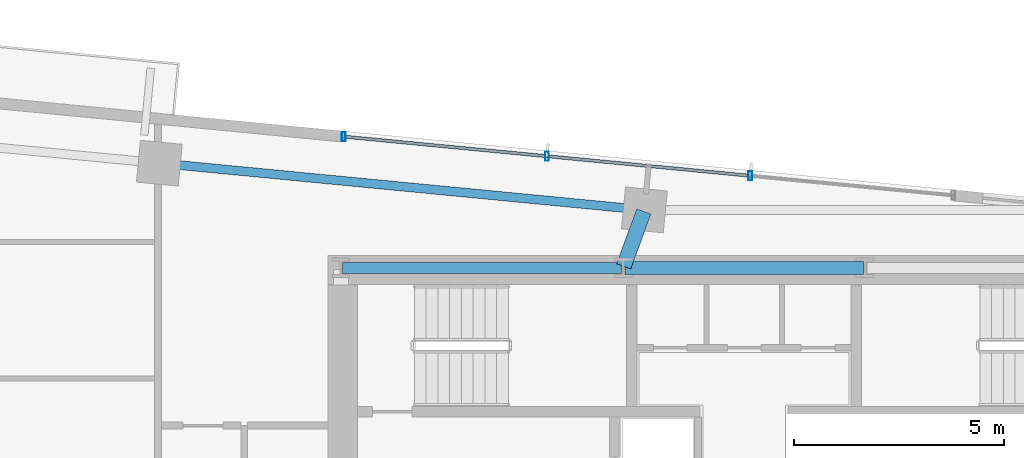
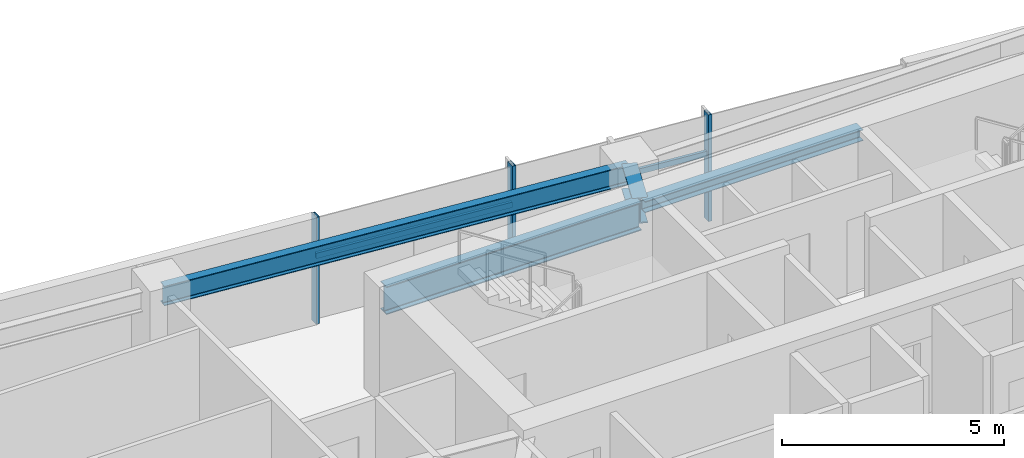
# One storey, part 7 of 19: 5 members, 4 beams, 1 element without a shape of its own.
"""IFC4 building model written with IfcOpenShell, lengths in metres."""

import ifcopenshell
import ifcopenshell.guid

model = None  # the IFC model being written
_history = None  # IfcOwnerHistory: only IFC2X3 demands one
_inside = {}  # id of a spatial element -> (the spatial element, [elements in it])
_under = {}  # id of a project, library or spatial element -> (it, [spatial elements below it])
_declared = {}  # id of a project -> (the project, [libraries it declares])
_typed = {}  # id of a type object -> (the type object, [elements of that type])
_made_of = {}  # id of a material, layer set ... -> (it, [elements and type objects made of it])


def new_model(schema):
    """Start an empty IFC model of exactly this schema.

    Asked for "IFC4X3", IfcOpenShell would pick the latest addendum, in which some entities
    have other attributes; the version numbers below select the first issue.
    IFC2X3 requires an IfcOwnerHistory on every rooted entity: one is made here for all.
    """
    global model, _history
    if schema == "IFC4X3":
        model = ifcopenshell.file(schema_version=(4, 3, 0, 0))
    else:
        model = ifcopenshell.file(schema=schema)
    _inside.clear()
    _under.clear()
    _declared.clear()
    _typed.clear()
    _made_of.clear()
    _history = None
    if model.schema == "IFC2X3":
        org = make("IfcOrganization", Name="unknown")
        user = make(
            "IfcPersonAndOrganization",
            ThePerson=make("IfcPerson", FamilyName="unknown"),
            TheOrganization=org,
        )
        app = make(
            "IfcApplication",
            ApplicationDeveloper=org,
            Version="unknown",
            ApplicationFullName="unknown",
            ApplicationIdentifier="unknown",
        )
        _history = make(
            "IfcOwnerHistory",
            OwningUser=user,
            OwningApplication=app,
            ChangeAction="ADDED",
            CreationDate=0,
        )
    return model


def make(cls, **values):
    """One entity of the class cls with the attributes given. An attribute that is None is left unset."""
    return model.create_entity(
        cls, **{name: value for name, value in values.items() if value is not None}
    )


def rooted(cls, **values):
    """An entity with a GlobalId (a new one), such as an element, a storey or a relation."""
    return make(cls, GlobalId=ifcopenshell.guid.new(), OwnerHistory=_history, **values)


def si_unit(unit_type, name, prefix=None):
    """IfcSIUnit, for example si_unit("LENGTHUNIT", "METRE", prefix="MILLI")."""
    return make("IfcSIUnit", UnitType=unit_type, Prefix=prefix, Name=name)


def assignment(units):
    """IfcUnitAssignment: the units of a project."""
    return None if units is None else make("IfcUnitAssignment", Units=units)


def point(xyz):
    """IfcCartesianPoint."""
    return None if xyz is None else make("IfcCartesianPoint", Coordinates=xyz)


def direction(xyz):
    """IfcDirection."""
    return None if xyz is None else make("IfcDirection", DirectionRatios=xyz)


def frame(location, z_axis=None, x_axis=None):
    """IfcAxis2Placement3D, a coordinate frame: its origin and axes. An axis left out is left unset."""
    return make(
        "IfcAxis2Placement3D",
        Location=point(location),
        Axis=direction(z_axis),
        RefDirection=direction(x_axis),
    )


def frame_2d(location, x_axis=None):
    """IfcAxis2Placement2D, a coordinate frame in the plane: its origin and x axis."""
    return make(
        "IfcAxis2Placement2D", Location=point(location), RefDirection=direction(x_axis)
    )


def origin():
    """The frame at (0, 0, 0) with its axes left unset."""
    return frame((0.0, 0.0, 0.0))


def origin_2d():
    """The frame at (0, 0) in the plane with its x axis left unset."""
    return frame_2d((0.0, 0.0))


def place(relative_to, where):
    """IfcLocalPlacement: puts the frame where relative to a parent placement (None: the world)."""
    return make(
        "IfcLocalPlacement", PlacementRelTo=relative_to, RelativePlacement=where
    )


def context(
    kind, dimensions, precision=None, world=None, true_north=None, identifier=None
):
    """IfcGeometricRepresentationContext, for example the 3D "Model" context."""
    return make(
        "IfcGeometricRepresentationContext",
        ContextIdentifier=identifier,
        ContextType=kind,
        CoordinateSpaceDimension=dimensions,
        Precision=precision,
        WorldCoordinateSystem=world,
        TrueNorth=true_north,
    )


def subcontext(parent, identifier, kind, view, scale=None):
    """IfcGeometricRepresentationSubContext, for example "Body" below "Model"."""
    return make(
        "IfcGeometricRepresentationSubContext",
        ContextIdentifier=identifier,
        ContextType=kind,
        ParentContext=parent,
        TargetScale=scale,
        TargetView=view,
    )


def project(units=None, contexts=None):
    """IfcProject with its units and contexts."""
    return rooted(
        "IfcProject",
        Name="project",
        RepresentationContexts=contexts,
        UnitsInContext=assignment(units),
    )


def spatial(cls, under=None, at=None, **own):
    """A site, building, storey or space (cls), placed at a placement, below another one or the project."""
    s = rooted(cls, ObjectPlacement=at, **own)
    if under is not None:
        _under.setdefault(under.id(), (under, []))[1].append(s)
    return s


def profile(cls, at=None, kind="AREA", **sizes):
    """A parametric profile (cls). Its sizes go by their IFC names, for example OverallWidth=200.0."""
    return make(cls, ProfileType=kind, Position=at, **sizes)


def hollow_rectangle(**sizes):
    """IfcRectangleHollowProfileDef."""
    return profile("IfcRectangleHollowProfileDef", **sizes)


def i_section(**sizes):
    """IfcIShapeProfileDef."""
    return profile("IfcIShapeProfileDef", **sizes)


def extrude(swept, where, along, depth):
    """IfcExtrudedAreaSolid: the profile swept, set in the frame where, extruded along a direction by depth."""
    return make(
        "IfcExtrudedAreaSolid",
        SweptArea=swept,
        Position=where,
        ExtrudedDirection=direction(along),
        Depth=depth,
    )


def shape(context_of_items, identifier, shape_type, items):
    """IfcShapeRepresentation: the items that make up one representation, for example the "Body"."""
    return make(
        "IfcShapeRepresentation",
        ContextOfItems=context_of_items,
        RepresentationIdentifier=identifier,
        RepresentationType=shape_type,
        Items=items,
    )


def source(mapping_origin, context_of_items, identifier, shape_type, items):
    """IfcRepresentationMap: a shape defined once, which mapped items show again and again."""
    return make(
        "IfcRepresentationMap",
        MappingOrigin=mapping_origin,
        MappedRepresentation=shape(context_of_items, identifier, shape_type, items),
    )


def transform(
    local_origin,
    x_axis=None,
    y_axis=None,
    z_axis=None,
    scale=None,
    scale2=None,
    scale3=None,
    uniform=True,
):
    """IfcCartesianTransformationOperator3D, or its non-uniform kind. x_axis, y_axis, z_axis: its Axis1, 2, 3."""
    if uniform:
        return make(
            "IfcCartesianTransformationOperator3D",
            Axis1=direction(x_axis),
            Axis2=direction(y_axis),
            LocalOrigin=point(local_origin),
            Scale=scale,
            Axis3=direction(z_axis),
        )
    return make(
        "IfcCartesianTransformationOperator3DnonUniform",
        Axis1=direction(x_axis),
        Axis2=direction(y_axis),
        LocalOrigin=point(local_origin),
        Scale=scale,
        Axis3=direction(z_axis),
        Scale2=scale2,
        Scale3=scale3,
    )


def mapped(mapping_source, mapping_target):
    """IfcMappedItem: shows the shape of a source again, moved by a transform."""
    return make(
        "IfcMappedItem", MappingSource=mapping_source, MappingTarget=mapping_target
    )


def material(Name=None, Category=None):
    """IfcMaterial."""
    return make("IfcMaterial", Name=Name, Category=Category)


def material_profile(
    of_material, cross_section, Name=None, Category=None, Priority=None
):
    """IfcMaterialProfile: a cross section and its material."""
    return make(
        "IfcMaterialProfile",
        Name=Name,
        Material=of_material,
        Profile=cross_section,
        Priority=Priority,
        Category=Category,
    )


def profile_set(profiles, Name=None, composite=None):
    """IfcMaterialProfileSet."""
    return make(
        "IfcMaterialProfileSet",
        Name=Name,
        MaterialProfiles=profiles,
        CompositeProfile=composite,
    )


def made_of(thing, what):
    """Note that an element or type object is made of a material, layer set ...; save() writes the relation."""
    if what is not None:
        _made_of.setdefault(what.id(), (what, []))[1].append(thing)
    return thing


def type_object(cls, material=None, **own):
    """A type object (cls), such as IfcWallType, which elements share."""
    return made_of(rooted(cls, **own), material)


def type_shapes(of_type, sources):
    """Give a type object the sources (RepresentationMaps) that its elements show as mapped items."""
    of_type.RepresentationMaps = sources


def element(
    cls,
    number,
    at=None,
    inside=None,
    cuts=None,
    type_object=None,
    material=None,
    context=None,
    identifier="Body",
    shape_type=None,
    held_by="IfcProductDefinitionShape",
    body=None,
    shapes=None,
    **own,
):
    """One element of the class cls, such as IfcWall. Its Tag is "e" and its number.

    at: its placement. inside: the storey or other place that contains it. cuts: it is an
    opening in that element (IfcRelVoidsElement). A single representation is given by context,
    identifier, shape_type and body (its items); several are given by shapes. held_by: the class
    of the entity that holds the representations. save() writes the other relations.
    """
    e = rooted(cls, Tag="e%d" % number, ObjectPlacement=at, **own)
    if body is not None:
        shapes = [shape(context, identifier, shape_type, body)]
    if shapes is not None:
        e.Representation = make(held_by, Representations=shapes)
    if inside is not None:
        _inside.setdefault(inside.id(), (inside, []))[1].append(e)
    if cuts is not None:
        rooted(
            "IfcRelVoidsElement", RelatingBuildingElement=cuts, RelatedOpeningElement=e
        )
    if type_object is not None:
        _typed.setdefault(type_object.id(), (type_object, []))[1].append(e)
    return made_of(e, material)


def aggregate(whole, parts):
    """IfcRelAggregates: a whole, such as a stair, and the parts it consists of."""
    return rooted("IfcRelAggregates", RelatingObject=whole, RelatedObjects=parts)


def save(model, path):
    """Write the relations noted so far, then the file.

    IfcRelAggregates (storeys below a building ...), IfcRelContainedInSpatialStructure (elements
    in a storey), IfcRelDefinesByType, IfcRelAssociatesMaterial and IfcRelDeclares: one each for
    every whole, place, type object, material and project.
    """
    for whole, parts in _under.values():
        aggregate(whole, parts)
    for where, things in _inside.values():
        rooted(
            "IfcRelContainedInSpatialStructure",
            RelatedElements=things,
            RelatingStructure=where,
        )
    for kind, things in _typed.values():
        rooted("IfcRelDefinesByType", RelatedObjects=things, RelatingType=kind)
    for what, things in _made_of.values():
        rooted("IfcRelAssociatesMaterial", RelatedObjects=things, RelatingMaterial=what)
    for by, libraries in _declared.values():
        rooted("IfcRelDeclares", RelatingContext=by, RelatedDefinitions=libraries)
    model.write(path)


model = new_model("IFC4")

# Units and contexts
model_context = context("Model", 3, precision=1e-05, world=origin(), true_north=direction((0.0, 1.0)))
body_context = subcontext(model_context, "Body", "Model", "MODEL_VIEW")
ifc_project = project(units=[si_unit("LENGTHUNIT", "METRE"), si_unit("AREAUNIT", "SQUARE_METRE"), si_unit("VOLUMEUNIT", "CUBIC_METRE"), si_unit("PLANEANGLEUNIT", "RADIAN"), si_unit("MASSUNIT", "GRAM", prefix="KILO")], contexts=[model_context])

# Site, building, storey
site_placement = place(None, origin())
site = spatial("IfcSite", under=ifc_project, at=site_placement, CompositionType="ELEMENT")
building_placement = place(site_placement, origin())
building = spatial("IfcBuilding", under=site, at=building_placement, Name="Astriad Promenade Condominiums", CompositionType="ELEMENT")
storey_placement = place(building_placement, frame((0.0, 0.0, 150.199951171875)))
storey = spatial("IfcBuildingStorey", under=building, at=storey_placement, Name="L43", CompositionType="ELEMENT", Elevation=150.199951171875)

# Beams
ifc_material_1 = material(Name="Steel ASTM A992 Grade 50", Category="steel")
ifc_material_profile_1 = material_profile(ifc_material_1, i_section(OverallWidth=0.267822265625, OverallDepth=0.76953125, WebThickness=0.015625, FlangeThickness=0.025390625, FilletRadius=0.021484375, at=origin_2d()), Name="W30X132")
ifc_profile_set_1 = profile_set([ifc_material_profile_1], Name="Steel ASTM A992 Grade 50")
beam_type_1 = type_object("IfcBeamType", Name="STEEL FLOOR GIRDER W30X132", PredefinedType="BEAM", material=ifc_profile_set_1)
shared_shape_1 = source(origin(), body_context, "Body", "SweptSolid", [
    extrude(i_section(OverallWidth=0.267822265625, OverallDepth=0.76953125, WebThickness=0.015625, FlangeThickness=0.025390625, FilletRadius=0.021484375, at=origin_2d()), origin(), (0.0, 0.0, 1.0), 6.64013671875),
])
type_shapes(beam_type_1, [shared_shape_1])
beam_1_placement = place(storey_placement, frame((26.43994140625, 24.0, 2.55517578125), z_axis=(1.0, 0.0, 0.0), x_axis=(0.0, 1.0, 0.0)))
element("IfcBeam", 1, at=beam_1_placement, inside=storey, type_object=beam_type_1, Name="Core Ring Beam CG-N1-L43", PredefinedType="BEAM", context=body_context, shape_type="MappedRepresentation", body=[
    mapped(shared_shape_1, transform((0.0, 0.0, 0.0), scale=1.0)),
])
ifc_material_profile_2 = material_profile(ifc_material_1, i_section(OverallWidth=0.3046875, OverallDepth=0.307861328125, WebThickness=0.010009765625, FlangeThickness=0.015380859375, FilletRadius=0.01513671875, at=origin_2d()), Name="W12X65")
ifc_profile_set_2 = profile_set([ifc_material_profile_2], Name="Steel ASTM A992 Grade 50")
beam_type_2 = type_object("IfcBeamType", Name="STEEL OPENING LINTEL W12X65", PredefinedType="LINTEL", material=ifc_profile_set_2)
shared_shape_2 = source(origin(), body_context, "Body", "SweptSolid", [
    extrude(i_section(OverallWidth=0.3046875, OverallDepth=0.307861328125, WebThickness=0.010009765625, FlangeThickness=0.015380859375, FilletRadius=0.01513671875, at=origin_2d()), origin(), (0.0, 0.0, 1.0), 5.68017578125),
])
type_shapes(beam_type_2, [shared_shape_2])
beam_2_placement = place(storey_placement, frame((33.159912109375, 24.0, 2.7861328125), z_axis=(1.0, 0.0, 0.0), x_axis=(0.0, 1.0, 0.0)))
element("IfcBeam", 2, at=beam_2_placement, inside=storey, type_object=beam_type_2, Name="Core Ring Beam CG-N2-L43", PredefinedType="LINTEL", context=body_context, shape_type="MappedRepresentation", body=[
    mapped(shared_shape_2, transform((0.0, 0.0, 0.0), scale=1.0)),
])
ifc_material_profile_3 = material_profile(ifc_material_1, i_section(OverallWidth=0.210693359375, OverallDepth=0.53955078125, WebThickness=0.01171875, FlangeThickness=0.018798828125, FilletRadius=0.0166015625, at=origin_2d()), Name="W21X73")
ifc_profile_set_3 = profile_set([ifc_material_profile_3], Name="Steel ASTM A992 Grade 50")
beam_type_3 = type_object("IfcBeamType", Name="STEEL SPANDREL BEAM W21X73", PredefinedType="SPANDREL", material=ifc_profile_set_3)
shared_shape_3 = source(origin(), body_context, "Body", "SweptSolid", [
    extrude(i_section(OverallWidth=0.210693359375, OverallDepth=0.53955078125, WebThickness=0.01171875, FlangeThickness=0.018798828125, FilletRadius=0.0166015625, at=origin_2d()), origin(), (0.0, 0.0, 1.0), 11.52001953125),
])
type_shapes(beam_type_3, [shared_shape_3])
beam_3_placement = place(storey_placement, frame((33.58642578125, 25.384033203125, 2.670166015625), z_axis=(-0.9953953902, 0.095854145285, 0.0), x_axis=(-0.095854145285, -0.9953953902, 0.0)))
element("IfcBeam", 3, at=beam_3_placement, inside=storey, type_object=beam_type_3, Name="Perimeter Spandrel Beam SP-N2-L43", PredefinedType="SPANDREL", context=body_context, shape_type="MappedRepresentation", body=[
    mapped(shared_shape_3, transform((0.0, 0.0, 0.0), scale=1.0)),
])
ifc_material_profile_4 = material_profile(ifc_material_1, i_section(OverallWidth=0.35791015625, OverallDepth=0.706298828125, WebThickness=0.018310546875, FlangeThickness=0.0302734375, FilletRadius=0.020263671875, at=origin_2d()), Name="W27X178")
ifc_profile_set_4 = profile_set([ifc_material_profile_4], Name="Steel ASTM A992 Grade 50")
beam_type_4 = type_object("IfcBeamType", Name="STEEL FLOOR GIRDER W27X178", PredefinedType="BEAM", material=ifc_profile_set_4)
shared_shape_4 = source(origin(), body_context, "Body", "SweptSolid", [
    extrude(i_section(OverallWidth=0.35791015625, OverallDepth=0.706298828125, WebThickness=0.018310546875, FlangeThickness=0.0302734375, FilletRadius=0.020263671875, at=origin_2d()), origin(), (0.0, 0.0, 1.0), 1.39013671875),
])
type_shapes(beam_type_4, [shared_shape_4])
beam_4_placement = place(storey_placement, frame((33.6123046875, 25.3427734375, 2.5869140625), z_axis=(-0.344223686797, -0.938887668173, 0.0), x_axis=(0.938887668173, -0.344223686797, 0.0)))
element("IfcBeam", 4, at=beam_4_placement, inside=storey, type_object=beam_type_4, Name="Primary Floor Girder PG-NC-L43", PredefinedType="BEAM", context=body_context, shape_type="MappedRepresentation", body=[
    mapped(shared_shape_4, transform((0.0, 0.0, 0.0), scale=1.0)),
])

# Curtain wall, members
ifc_material_2 = material(Name="Anodised aluminium Black Dark Glass Unitised", Category="aluminium")
curtain_wall_type = type_object("IfcCurtainWallType", Name="CW-B34-DARK", PredefinedType="USERDEFINED", material=ifc_material_2)
curtain_wall_placement = place(storey_placement, origin())
curtain_wall = element("IfcCurtainWall", 5, at=curtain_wall_placement, inside=storey, type_object=curtain_wall_type, Name="CW-L43-N", ObjectType="UNITISED_CURTAIN_WALL", PredefinedType="USERDEFINED")
ifc_material_3 = material(Name="Anodised aluminium 6063-T6 Black", Category="aluminium")
ifc_material_profile_5 = material_profile(ifc_material_3, hollow_rectangle(XDim=0.0849609375, YDim=0.219970703125, WallThickness=0.0048828125, at=origin_2d()), Name="ALU-MUL-85X220")
ifc_profile_set_5 = profile_set([ifc_material_profile_5], Name="Anodised aluminium 6063-T6 Black")
member_type_1 = type_object("IfcMemberType", Name="MUL-ALU-MUL-85X220", PredefinedType="MULLION", material=ifc_profile_set_5)
shared_shape_5 = source(origin(), body_context, "Body", "SweptSolid", [
    extrude(hollow_rectangle(XDim=0.0849609375, YDim=0.219970703125, WallThickness=0.0048828125, at=origin_2d()), origin(), (0.0, 0.0, 1.0), 2.93994140625),
])
type_shapes(member_type_1, [shared_shape_5])
member_1_placement = place(storey_placement, frame((26.470458984375, 27.124267578125, 0.0), z_axis=(0.0, 0.0, 1.0), x_axis=(1.0, 0.0, 0.0)))
member_1 = element("IfcMember", 6, at=member_1_placement, type_object=member_type_1, Name="CW-L43-N-MUL-00", PredefinedType="MULLION", context=body_context, shape_type="MappedRepresentation", body=[
    mapped(shared_shape_5, transform((0.0, 0.0, 0.0), scale=1.0)),
])
member_2_placement = place(storey_placement, frame((31.30810546875, 26.658447265625, 0.0), z_axis=(0.0, 0.0, 1.0), x_axis=(1.0, 0.0, 0.0)))
member_2 = element("IfcMember", 7, at=member_2_placement, type_object=member_type_1, Name="CW-L43-N-MUL-01", PredefinedType="MULLION", context=body_context, shape_type="MappedRepresentation", body=[
    mapped(shared_shape_5, transform((0.0, 0.0, 0.0), scale=1.0)),
])
member_3_placement = place(storey_placement, frame((36.145751953125, 26.1923828125, 0.0), z_axis=(0.0, 0.0, 1.0), x_axis=(1.0, 0.0, 0.0)))
member_3 = element("IfcMember", 8, at=member_3_placement, type_object=member_type_1, Name="CW-L43-N-MUL-02", PredefinedType="MULLION", context=body_context, shape_type="MappedRepresentation", body=[
    mapped(shared_shape_5, transform((0.0, 0.0, 0.0), scale=1.0)),
])
ifc_material_profile_6 = material_profile(ifc_material_3, hollow_rectangle(XDim=0.074951171875, YDim=0.14990234375, WallThickness=0.004150390625, at=origin_2d()), Name="ALU-TRN-75X150")
ifc_profile_set_6 = profile_set([ifc_material_profile_6], Name="Anodised aluminium 6063-T6 Black")
member_type_2 = type_object("IfcMemberType", Name="TRN-ALU-TRN-75X150", PredefinedType="USERDEFINED", material=ifc_profile_set_6)
shared_shape_6 = source(origin(), body_context, "Body", "SweptSolid", [
    extrude(hollow_rectangle(XDim=0.074951171875, YDim=0.14990234375, WallThickness=0.004150390625, at=origin_2d()), origin(), (0.0, 0.0, 1.0), 4.860107421875),
])
type_shapes(member_type_2, [shared_shape_6])
member_4_placement = place(storey_placement, frame((26.470458984375, 27.124267578125, 1.82275390625), z_axis=(0.995396042559, -0.095847370639, 0.0), x_axis=(0.095847370639, 0.995396042559, 0.0)))
member_4 = element("IfcMember", 9, at=member_4_placement, type_object=member_type_2, Name="CW-L43-N-TRN-00-0", ObjectType="TRANSOM", PredefinedType="USERDEFINED", context=body_context, shape_type="MappedRepresentation", body=[
    mapped(shared_shape_6, transform((0.0, 0.0, 0.0), scale=1.0)),
])
member_5_placement = place(storey_placement, frame((31.30810546875, 26.658447265625, 1.82275390625), z_axis=(0.995391248663, -0.09589714326, 0.0), x_axis=(0.09589714326, 0.995391248663, 0.0)))
member_5 = element("IfcMember", 10, at=member_5_placement, type_object=member_type_2, Name="CW-L43-N-TRN-01-0", ObjectType="TRANSOM", PredefinedType="USERDEFINED", context=body_context, shape_type="MappedRepresentation", body=[
    mapped(shared_shape_6, transform((0.0, 0.0, 0.0), scale=1.0)),
])
aggregate(curtain_wall, [member_1, member_2, member_3, member_4, member_5])

save(model, "model.ifc")
